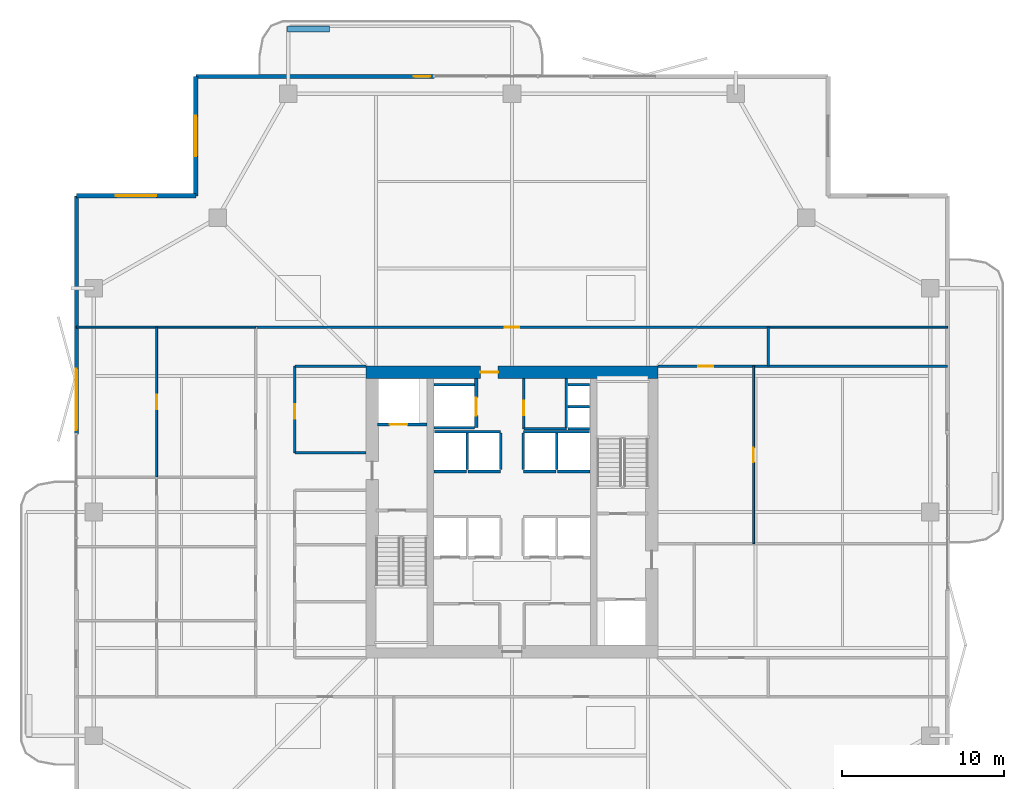
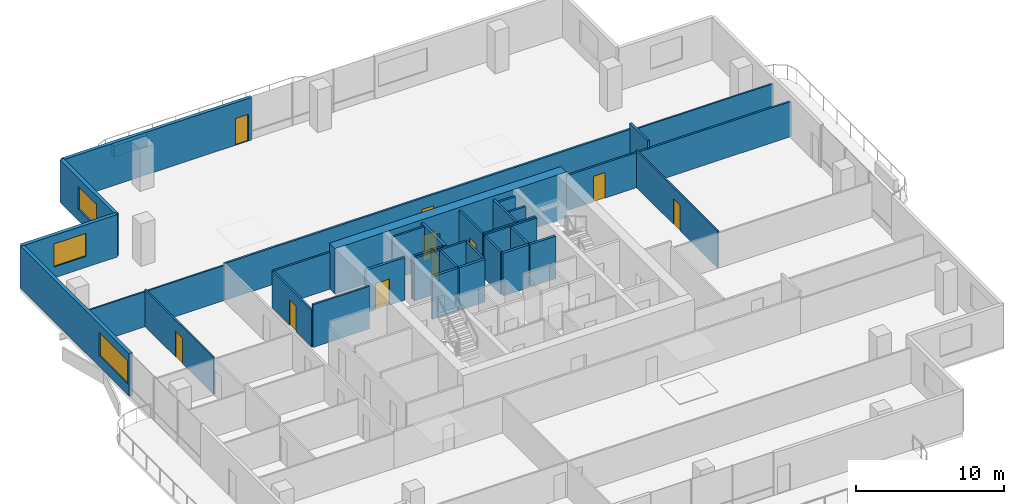
# One storey, part 19 of 24: 36 walls, 10 doors, 3 windows, 13 openings.
"""IFC4 building model written with IfcOpenShell, lengths in metres."""

from ifc_helpers import new_model, si_unit, direction, frame, frame_2d, origin, place, context, subcontext, project, spatial, rectangle, extrude, material, layer, layer_set, type_object, element, fill, save


model = new_model("IFC4")

# Units and contexts
model_context = context("Model", 3, precision=1e-05, world=origin(), true_north=direction((0.0, 1.0)))
body_context = subcontext(model_context, "Body", "Model", "MODEL_VIEW")
ifc_project = project(units=[si_unit("LENGTHUNIT", "METRE"), si_unit("AREAUNIT", "SQUARE_METRE"), si_unit("VOLUMEUNIT", "CUBIC_METRE"), si_unit("PLANEANGLEUNIT", "RADIAN"), si_unit("MASSUNIT", "GRAM", prefix="KILO")], contexts=[model_context])

# Site, building, storey
site_placement = place(None, origin())
site = spatial("IfcSite", under=ifc_project, at=site_placement, CompositionType="ELEMENT")
building_placement = place(site_placement, origin())
building = spatial("IfcBuilding", under=site, at=building_placement, Name="Belovzor Exchange Tower", CompositionType="ELEMENT")
storey_placement = place(building_placement, frame((0.0, 0.0, 214.949951171875)))
storey = spatial("IfcBuildingStorey", under=building, at=storey_placement, Name="L53", CompositionType="ELEMENT", Elevation=214.949951171875)

# Wall, opening, door
ifc_material_1 = material(Name="Acoustic Plasterboard on Galvanised Studs", Category="gypsum")
ifc_layer_1 = layer(ifc_material_1, 0.1201171875)
ifc_layer_set_1 = layer_set([ifc_layer_1], Name="Acoustic Plasterboard on Galvanised Studs")
wall_type_1 = type_object("IfcWallType", Name="Acoustic Double-Stud Partition Wall 120", PredefinedType="PARTITIONING", material=ifc_layer_set_1)
wall_1_placement = place(storey_placement, frame((6.876953125, 30.955078125, 0.0), z_axis=(0.0, 0.0, 1.0), x_axis=(0.0, 1.0, 0.0)))
wall_1 = element("IfcWall", 1, at=wall_1_placement, inside=storey, type_object=wall_type_1, Name="W-P120 Partition Wall W-L53-WHDIV-3", PredefinedType="PARTITIONING", context=body_context, shape_type="SweptSolid", body=[
    extrude(rectangle(XDim=9.244873046875, YDim=0.1201171875, at=frame_2d((4.62255859375, 0.0))), origin(), (0.0, 0.0, 1.0), 3.03515625),
])
opening_1_placement = place(wall_1_placement, frame((4.173095703125, 0.0, 0.0)))
opening_1 = element("IfcOpeningElement", 2, at=opening_1_placement, cuts=wall_1, Name="Opening D-INT-090", PredefinedType="OPENING", context=body_context, shape_type="SweptSolid", body=[
    extrude(rectangle(XDim=0.89990234375, YDim=2.10009765625, at=frame_2d((0.449951171875, 1.050048828125))), frame((0.0, 0.070068359375, 0.0), z_axis=(0.0, -1.0, 0.0), x_axis=(1.0, 0.0, 0.0)), (0.0, 0.0, 1.0), 0.14013671875),
])
ifc_material_2 = material(Name="Veneered Hardwood Acoustic Leaf", Category="wood")
door_type_1 = type_object("IfcDoorType", Name="Trading Suite Acoustic Single Door 900x2100", OperationType="NOTDEFINED", PredefinedType="DOOR", material=ifc_material_2)
door_1_placement = place(opening_1_placement, origin())
door_1 = element("IfcDoor", 3, at=door_1_placement, inside=storey, type_object=door_type_1, Name="D-INT-090 Trading Suite Acoustic Single Door 900x2100", OperationType="SINGLE_SWING_LEFT", OverallHeight=2.10009765625, OverallWidth=0.89990234375, PredefinedType="DOOR", context=body_context, shape_type="SweptSolid", body=[
    extrude(rectangle(XDim=0.89990234375, YDim=2.10009765625, at=frame_2d((0.449951171875, 1.050048828125))), frame((0.0, 0.02490234375, 0.0), z_axis=(0.0, -1.0, 0.0), x_axis=(1.0, 0.0, 0.0)), (0.0, 0.0, 1.0), 0.050048828125),
])
fill(opening_1, door_1)

wall_2_placement = place(storey_placement, frame((43.699951171875, 26.85009765625, 0.0), z_axis=(0.0, 0.0, 1.0), x_axis=(0.0, 1.0, 0.0)))
wall_2 = element("IfcWall", 4, at=wall_2_placement, inside=storey, type_object=wall_type_1, Name="W-P120 Partition Wall W-L53-EDIV-2", PredefinedType="PARTITIONING", context=body_context, shape_type="SweptSolid", body=[
    extrude(rectangle(XDim=10.949951171875, YDim=0.1201171875, at=frame_2d((5.47509765625, 0.0))), origin(), (0.0, 0.0, 1.0), 3.03515625),
])
opening_2_placement = place(wall_2_placement, frame((5.02490234375, 0.0, 0.0)))
opening_2 = element("IfcOpeningElement", 5, at=opening_2_placement, cuts=wall_2, Name="Opening D-INT-090", PredefinedType="OPENING", context=body_context, shape_type="SweptSolid", body=[
    extrude(rectangle(XDim=0.89990234375, YDim=2.10009765625, at=frame_2d((0.449951171875, 1.050048828125))), frame((0.0, 0.070068359375, 0.0), z_axis=(0.0, -1.0, 0.0), x_axis=(1.0, 0.0, 0.0)), (0.0, 0.0, 1.0), 0.14013671875),
])
door_2_placement = place(opening_2_placement, origin())
door_2 = element("IfcDoor", 6, at=door_2_placement, inside=storey, type_object=door_type_1, Name="D-INT-090 Trading Suite Acoustic Single Door 900x2100", OperationType="SINGLE_SWING_RIGHT", OverallHeight=2.10009765625, OverallWidth=0.89990234375, PredefinedType="DOOR", context=body_context, shape_type="SweptSolid", body=[
    extrude(rectangle(XDim=0.89990234375, YDim=2.10009765625, at=frame_2d((0.449951171875, 1.050048828125))), frame((0.0, 0.02490234375, 0.0), z_axis=(0.0, -1.0, 0.0), x_axis=(1.0, 0.0, 0.0)), (0.0, 0.0, 1.0), 0.050048828125),
])
fill(opening_2, door_2)

# Walls
wall_3_placement = place(storey_placement, frame((1.929931640625, 40.199951171875, 0.0), z_axis=(0.0, 0.0, 1.0), x_axis=(1.0, 0.0, 0.0)))
element("IfcWall", 7, at=wall_3_placement, inside=storey, type_object=wall_type_1, Name="W-P120 Partition Wall W-L53-END-NW", PredefinedType="PARTITIONING", context=body_context, shape_type="SweptSolid", body=[
    extrude(rectangle(XDim=11.070068359375, YDim=0.1201171875, at=frame_2d((5.53515625, 0.0))), origin(), (0.0, 0.0, 1.0), 2.885009765625),
])
wall_4_placement = place(storey_placement, frame((44.60009765625, 40.199951171875, 0.0), z_axis=(0.0, 0.0, 1.0), x_axis=(1.0, 0.0, 0.0)))
element("IfcWall", 8, at=wall_4_placement, inside=storey, type_object=wall_type_1, Name="W-P120 Partition Wall W-L53-END-NE", PredefinedType="PARTITIONING", context=body_context, shape_type="SweptSolid", body=[
    extrude(rectangle(XDim=11.06982421875, YDim=0.1201171875, at=frame_2d((5.534912109375, 0.0))), origin(), (0.0, 0.0, 1.0), 2.885009765625),
])

# Wall, opening, door
ifc_material_3 = material(Name="Fire-Rated Gypsum Block and Mineral Wool", Category="gypsum")
ifc_layer_2 = layer(ifc_material_3, 0.14990234375)
ifc_layer_set_2 = layer_set([ifc_layer_2], Name="Fire-Rated Gypsum Block and Mineral Wool")
wall_type_2 = type_object("IfcWallType", Name="Fire-Rated Gypsum Block Corridor Wall 150", PredefinedType="PARTITIONING", material=ifc_layer_set_2)
wall_5_placement = place(storey_placement, frame((29.52490234375, 33.925048828125, 0.0), z_axis=(0.0, 0.0, 1.0), x_axis=(0.0, 1.0, 0.0)))
wall_5 = element("IfcWall", 9, at=wall_5_placement, inside=storey, type_object=wall_type_2, Name="W-P150 Partition Wall W-CRV-L53-W", PredefinedType="PARTITIONING", context=body_context, shape_type="SweptSolid", body=[
    extrude(rectangle(XDim=3.125, YDim=0.14990234375, at=frame_2d((1.5625, 0.0))), origin(), (0.0, 0.0, 1.0), 3.5),
])
opening_3_placement = place(wall_5_placement, frame((0.85009765625, 0.0, 0.0)))
opening_3 = element("IfcOpeningElement", 10, at=opening_3_placement, cuts=wall_5, Name="Opening D-FD60-090", PredefinedType="OPENING", context=body_context, shape_type="SweptSolid", body=[
    extrude(rectangle(XDim=0.89990234375, YDim=2.10009765625, at=frame_2d((0.449951171875, 1.050048828125))), frame((0.0, 0.0849609375, 0.0), z_axis=(0.0, -1.0, 0.0), x_axis=(1.0, 0.0, 0.0)), (0.0, 0.0, 1.0), 0.169921875),
])
ifc_material_4 = material(Name="Acoustic Timber Fire Leaf", Category="wood")
door_type_2 = type_object("IfcDoorType", Name="Core Service & Restroom Fire Door 900x2100", OperationType="NOTDEFINED", PredefinedType="DOOR", material=ifc_material_4)
door_3_placement = place(opening_3_placement, origin())
door_3 = element("IfcDoor", 11, at=door_3_placement, inside=storey, type_object=door_type_2, Name="D-FD60-090 Core Service & Restroom Fire Door 900x2100", OperationType="SINGLE_SWING_LEFT", OverallHeight=2.10009765625, OverallWidth=0.89990234375, PredefinedType="DOOR", context=body_context, shape_type="SweptSolid", body=[
    extrude(rectangle(XDim=0.89990234375, YDim=2.10009765625, at=frame_2d((0.449951171875, 1.050048828125))), frame((0.0, 0.02490234375, 0.0), z_axis=(0.0, -1.0, 0.0), x_axis=(1.0, 0.0, 0.0)), (0.0, 0.0, 1.0), 0.050048828125),
])
fill(opening_3, door_3)

# Walls
wall_6_placement = place(storey_placement, frame((29.52490234375, 33.925048828125, 0.0), z_axis=(0.0, 0.0, 1.0), x_axis=(1.0, 0.0, 0.0)))
element("IfcWall", 12, at=wall_6_placement, inside=storey, type_object=wall_type_2, Name="W-P150 Partition Wall W-CRV-L53-S", PredefinedType="PARTITIONING", context=body_context, shape_type="SweptSolid", body=[
    extrude(rectangle(XDim=2.625, YDim=0.14990234375, at=frame_2d((1.3125, 0.0))), origin(), (0.0, 0.0, 1.0), 3.5),
])
wall_7_placement = place(storey_placement, frame((15.39990234375, 32.449951171875, 0.0), z_axis=(0.0, 0.0, 1.0), x_axis=(1.0, 0.0, 0.0)))
element("IfcWall", 13, at=wall_7_placement, inside=storey, type_object=wall_type_2, Name="W-P150 Partition Wall W-L53-CFW-N", PredefinedType="PARTITIONING", context=body_context, shape_type="SweptSolid", body=[
    extrude(rectangle(XDim=4.400146484375, YDim=0.14990234375, at=frame_2d((2.2001953125, 0.0))), origin(), (0.0, 0.0, 1.0), 3.5),
])
wall_8_placement = place(storey_placement, frame((15.39990234375, 37.800048828125, 0.0), z_axis=(0.0, 0.0, 1.0), x_axis=(1.0, 0.0, 0.0)))
element("IfcWall", 14, at=wall_8_placement, inside=storey, type_object=wall_type_2, Name="W-P150 Partition Wall W-L53-INW-N", PredefinedType="PARTITIONING", context=body_context, shape_type="SweptSolid", body=[
    extrude(rectangle(XDim=4.400146484375, YDim=0.14990234375, at=frame_2d((2.2001953125, 0.0))), origin(), (0.0, 0.0, 1.0), 3.03515625),
])

# Wall, opening, door
wall_9_placement = place(storey_placement, frame((15.39990234375, 32.449951171875, 0.0), z_axis=(0.0, 0.0, 1.0), x_axis=(0.0, 1.0, 0.0)))
wall_9 = element("IfcWall", 15, at=wall_9_placement, inside=storey, type_object=wall_type_2, Name="W-P150 Partition Wall W-L53-WIE-N", PredefinedType="PARTITIONING", context=body_context, shape_type="SweptSolid", body=[
    extrude(rectangle(XDim=5.35009765625, YDim=0.14990234375, at=frame_2d((2.675048828125, 0.0))), origin(), (0.0, 0.0, 1.0), 3.03515625),
])
opening_4_placement = place(wall_9_placement, frame((2.10009765625, 0.0, 0.0)))
opening_4 = element("IfcOpeningElement", 16, at=opening_4_placement, cuts=wall_9, Name="Opening D-FD60-090", PredefinedType="OPENING", context=body_context, shape_type="SweptSolid", body=[
    extrude(rectangle(XDim=0.89990234375, YDim=2.10009765625, at=frame_2d((0.449951171875, 1.050048828125))), frame((0.0, 0.0849609375, 0.0), z_axis=(0.0, -1.0, 0.0), x_axis=(1.0, 0.0, 0.0)), (0.0, 0.0, 1.0), 0.169921875),
])
door_4_placement = place(opening_4_placement, origin())
door_4 = element("IfcDoor", 17, at=door_4_placement, inside=storey, type_object=door_type_2, Name="D-FD60-090 Core Service & Restroom Fire Door 900x2100", OperationType="SINGLE_SWING_LEFT", OverallHeight=2.10009765625, OverallWidth=0.89990234375, PredefinedType="DOOR", context=body_context, shape_type="SweptSolid", body=[
    extrude(rectangle(XDim=0.89990234375, YDim=2.10009765625, at=frame_2d((0.449951171875, 1.050048828125))), frame((0.0, 0.02490234375, 0.0), z_axis=(0.0, -1.0, 0.0), x_axis=(1.0, 0.0, 0.0)), (0.0, 0.0, 1.0), 0.050048828125),
])
fill(opening_4, door_4)

# Wall
wall_10_placement = place(storey_placement, frame((44.60009765625, 37.800048828125, 0.0), z_axis=(0.0, 0.0, 1.0), x_axis=(0.0, 1.0, 0.0)))
element("IfcWall", 18, at=wall_10_placement, inside=storey, type_object=wall_type_2, Name="W-P150 Partition Wall W-L53-END-EN", PredefinedType="PARTITIONING", context=body_context, shape_type="SweptSolid", body=[
    extrude(rectangle(XDim=2.39990234375, YDim=0.14990234375, at=frame_2d((1.199951171875, 0.0))), origin(), (0.0, 0.0, 1.0), 3.5),
])

# Wall, opening, door
wall_11_placement = place(storey_placement, frame((37.800048828125, 37.800048828125, 0.0), z_axis=(0.0, 0.0, 1.0), x_axis=(1.0, 0.0, 0.0)))
wall_11 = element("IfcWall", 19, at=wall_11_placement, inside=storey, type_object=wall_type_2, Name="W-P150 Partition Wall W-L53-CN-IN", PredefinedType="PARTITIONING", context=body_context, shape_type="SweptSolid", body=[
    extrude(rectangle(XDim=17.869873046875, YDim=0.14990234375, at=frame_2d((8.93505859375, 0.0))), origin(), (0.0, 0.0, 1.0), 2.885009765625),
])
opening_5_placement = place(wall_11_placement, frame((2.5, 0.0, 0.0)))
opening_5 = element("IfcOpeningElement", 20, at=opening_5_placement, cuts=wall_11, Name="Opening D-INT-090", PredefinedType="OPENING", context=body_context, shape_type="SweptSolid", body=[
    extrude(rectangle(XDim=0.89990234375, YDim=2.10009765625, at=frame_2d((0.449951171875, 1.050048828125))), frame((0.0, 0.0849609375, 0.0), z_axis=(0.0, -1.0, 0.0), x_axis=(1.0, 0.0, 0.0)), (0.0, 0.0, 1.0), 0.169921875),
])
door_5_placement = place(opening_5_placement, origin())
door_5 = element("IfcDoor", 21, at=door_5_placement, inside=storey, type_object=door_type_1, Name="D-INT-090 Trading Suite Acoustic Single Door 900x2100", OperationType="SINGLE_SWING_RIGHT", OverallHeight=2.10009765625, OverallWidth=0.89990234375, PredefinedType="DOOR", context=body_context, shape_type="SweptSolid", body=[
    extrude(rectangle(XDim=0.89990234375, YDim=2.10009765625, at=frame_2d((0.449951171875, 1.050048828125))), frame((0.0, 0.02490234375, 0.0), z_axis=(0.0, -1.0, 0.0), x_axis=(1.0, 0.0, 0.0)), (0.0, 0.0, 1.0), 0.050048828125),
])
fill(opening_5, door_5)

wall_12_placement = place(storey_placement, frame((13.0, 40.199951171875, 0.0), z_axis=(0.0, 0.0, 1.0), x_axis=(1.0, 0.0, 0.0)))
wall_12 = element("IfcWall", 22, at=wall_12_placement, inside=storey, type_object=wall_type_2, Name="W-P150 Partition Wall W-L53-CN", PredefinedType="PARTITIONING", context=body_context, shape_type="SweptSolid", body=[
    extrude(rectangle(XDim=31.60009765625, YDim=0.14990234375, at=frame_2d((15.800048828125, 0.0))), origin(), (0.0, 0.0, 1.0), 3.03515625),
])
opening_6_placement = place(wall_12_placement, frame((15.35009765625, 0.0, 0.0)))
opening_6 = element("IfcOpeningElement", 23, at=opening_6_placement, cuts=wall_12, Name="Opening D-INT-090", PredefinedType="OPENING", context=body_context, shape_type="SweptSolid", body=[
    extrude(rectangle(XDim=0.89990234375, YDim=2.10009765625, at=frame_2d((0.449951171875, 1.050048828125))), frame((0.0, 0.0849609375, 0.0), z_axis=(0.0, -1.0, 0.0), x_axis=(1.0, 0.0, 0.0)), (0.0, 0.0, 1.0), 0.169921875),
])
door_6_placement = place(opening_6_placement, origin())
door_6 = element("IfcDoor", 24, at=door_6_placement, inside=storey, type_object=door_type_1, Name="D-INT-090 Trading Suite Acoustic Single Door 900x2100", OperationType="SINGLE_SWING_LEFT", OverallHeight=2.10009765625, OverallWidth=0.89990234375, PredefinedType="DOOR", context=body_context, shape_type="SweptSolid", body=[
    extrude(rectangle(XDim=0.89990234375, YDim=2.10009765625, at=frame_2d((0.449951171875, 1.050048828125))), frame((0.0, 0.02490234375, 0.0), z_axis=(0.0, -1.0, 0.0), x_axis=(1.0, 0.0, 0.0)), (0.0, 0.0, 1.0), 0.050048828125),
])
fill(opening_6, door_6)

# Wall, opening, window
ifc_material_5 = material(Name="Precast concrete C40/50", Category="concrete")
ifc_layer_3 = layer(ifc_material_5, 0.280029296875)
ifc_layer_set_3 = layer_set([ifc_layer_3], Name="Precast concrete C40/50")
wall_type_3 = type_object("IfcWallType", Name="Precast Concrete Notched Corner Frame Wall 280", PredefinedType="SOLIDWALL", material=ifc_layer_set_3)
wall_13_placement = place(storey_placement, frame((1.929931640625, 48.300048828125, 0.0), z_axis=(0.0, 0.0, 1.0), x_axis=(1.0, 0.0, 0.0)))
wall_13 = element("IfcWall", 25, at=wall_13_placement, inside=storey, type_object=wall_type_3, Name="W-CRN280 Precast Concrete Notched Corner Frame Wall 280 L53", PredefinedType="SOLIDWALL", context=body_context, shape_type="SweptSolid", body=[
    extrude(rectangle(XDim=7.3701171875, YDim=0.280029296875, at=frame_2d((3.68505859375, 0.0))), origin(), (0.0, 0.0, 1.0), 3.5),
])
opening_7_placement = place(wall_13_placement, frame((2.43505859375, 0.0, 0.89990234375)))
opening_7 = element("IfcOpeningElement", 26, at=opening_7_placement, cuts=wall_13, Name="Opening WN-CRN250", PredefinedType="OPENING", context=body_context, shape_type="SweptSolid", body=[
    extrude(rectangle(XDim=2.5, YDim=1.89990234375, at=frame_2d((1.25, 0.949951171875))), frame((0.0, 0.14990234375, 0.0), z_axis=(0.0, -1.0, 0.0), x_axis=(1.0, 0.0, 0.0)), (0.0, 0.0, 1.0), 0.300048828125),
])
ifc_material_6 = material(Name="Thermally Broken Aluminium and Triple Glazing", Category="aluminium")
window_type_1 = type_object("IfcWindowType", Name="Streamline Moderne Corner Wrap Ribbon Window 2500x1900", PartitioningType="SINGLE_PANEL", PredefinedType="WINDOW", material=ifc_material_6)
window_1_placement = place(opening_7_placement, origin())
window_1 = element("IfcWindow", 27, at=window_1_placement, inside=storey, type_object=window_type_1, Name="WN-CRN250 Streamline Moderne Corner Wrap Ribbon Window 2500x1900", OverallHeight=1.89990234375, OverallWidth=2.5, PartitioningType="SINGLE_PANEL", PredefinedType="WINDOW", context=body_context, shape_type="SweptSolid", body=[
    extrude(rectangle(XDim=2.5, YDim=1.89990234375, at=frame_2d((1.25, 0.949951171875))), frame((0.0, 0.030029296875, 0.0), z_axis=(0.0, -1.0, 0.0), x_axis=(1.0, 0.0, 0.0)), (0.0, 0.0, 1.0), 0.06005859375),
])
fill(opening_7, window_1)

wall_14_placement = place(storey_placement, frame((9.300048828125, 48.300048828125, 0.0), z_axis=(0.0, 0.0, 1.0), x_axis=(0.0, 1.0, 0.0)))
wall_14 = element("IfcWall", 28, at=wall_14_placement, inside=storey, type_object=wall_type_3, Name="W-CRN280 Precast Concrete Notched Corner Frame Wall 280 L53", PredefinedType="SOLIDWALL", context=body_context, shape_type="SweptSolid", body=[
    extrude(rectangle(XDim=7.369873046875, YDim=0.280029296875, at=frame_2d((3.68505859375, 0.0))), origin(), (0.0, 0.0, 1.0), 3.5),
])
opening_8_placement = place(wall_14_placement, frame((2.43505859375, 0.0, 0.89990234375)))
opening_8 = element("IfcOpeningElement", 29, at=opening_8_placement, cuts=wall_14, Name="Opening WN-CRN250", PredefinedType="OPENING", context=body_context, shape_type="SweptSolid", body=[
    extrude(rectangle(XDim=2.5, YDim=1.89990234375, at=frame_2d((1.25, 0.949951171875))), frame((0.0, 0.14990234375, 0.0), z_axis=(0.0, -1.0, 0.0), x_axis=(1.0, 0.0, 0.0)), (0.0, 0.0, 1.0), 0.300048828125),
])
window_2_placement = place(opening_8_placement, origin())
window_2 = element("IfcWindow", 30, at=window_2_placement, inside=storey, type_object=window_type_1, Name="WN-CRN250 Streamline Moderne Corner Wrap Ribbon Window 2500x1900", OverallHeight=1.89990234375, OverallWidth=2.5, PartitioningType="SINGLE_PANEL", PredefinedType="WINDOW", context=body_context, shape_type="SweptSolid", body=[
    extrude(rectangle(XDim=2.5, YDim=1.89990234375, at=frame_2d((1.25, 0.949951171875))), frame((0.0, 0.030029296875, 0.0), z_axis=(0.0, -1.0, 0.0), x_axis=(1.0, 0.0, 0.0)), (0.0, 0.0, 1.0), 0.06005859375),
])
fill(opening_8, window_2)

# Wall, opening, door
ifc_material_7 = material(Name="Precast concrete C40/50", Category="concrete")
ifc_layer_4 = layer(ifc_material_7, 0.260009765625)
ifc_layer_set_4 = layer_set([ifc_layer_4], Name="Precast concrete C40/50")
wall_type_4 = type_object("IfcWallType", Name="Precast Concrete Perimeter Loggia Frame Wall 260", PredefinedType="SOLIDWALL", material=ifc_layer_set_4)
wall_15_placement = place(storey_placement, frame((9.300048828125, 55.669921875, 0.0), z_axis=(0.0, 0.0, 1.0), x_axis=(1.0, 0.0, 0.0)))
wall_15 = element("IfcWall", 31, at=wall_15_placement, inside=storey, type_object=wall_type_4, Name="W-EXT260 Precast Concrete Perimeter Loggia Frame Wall 260 L53", PredefinedType="SOLIDWALL", context=body_context, shape_type="SweptSolid", body=[
    extrude(rectangle(XDim=14.699951171875, YDim=0.260009765625, at=frame_2d((7.35009765625, 0.0))), origin(), (0.0, 0.0, 1.0), 3.5),
])
opening_9_placement = place(wall_15_placement, frame((13.449951171875, 0.0, 0.0)))
opening_9 = element("IfcOpeningElement", 32, at=opening_9_placement, cuts=wall_15, Name="Opening D-BAL100", PredefinedType="OPENING", context=body_context, shape_type="SweptSolid", body=[
    extrude(rectangle(XDim=1.0, YDim=2.199951171875, at=frame_2d((0.5, 1.10009765625))), frame((0.0, 0.139892578125, 0.0), z_axis=(0.0, -1.0, 0.0), x_axis=(1.0, 0.0, 0.0)), (0.0, 0.0, 1.0), 0.280029296875),
])
ifc_material_8 = material(Name="Thermally Broken Anodised Aluminium and Laminated Glass", Category="aluminium")
door_type_3 = type_object("IfcDoorType", Name="Planted Loggia Terrace Glazed Door 1000x2200", OperationType="SINGLE_SWING_LEFT", PredefinedType="DOOR", material=ifc_material_8)
door_7_placement = place(opening_9_placement, origin())
door_7 = element("IfcDoor", 33, at=door_7_placement, inside=storey, type_object=door_type_3, Name="D-BAL100 Balcony Terrace Door L53 N", OperationType="SINGLE_SWING_RIGHT", OverallHeight=2.199951171875, OverallWidth=1.0, PredefinedType="DOOR", context=body_context, shape_type="SweptSolid", body=[
    extrude(rectangle(XDim=1.0, YDim=2.199951171875, at=frame_2d((0.5, 1.10009765625))), frame((0.0, 0.02490234375, 0.0), z_axis=(0.0, -1.0, 0.0), x_axis=(1.0, 0.0, 0.0)), (0.0, 0.0, 1.0), 0.050048828125),
])
fill(opening_9, door_7)

# Wall, opening, window
wall_16_placement = place(storey_placement, frame((1.929931640625, 33.60009765625, 0.0), z_axis=(0.0, 0.0, 1.0), x_axis=(0.0, 1.0, 0.0)))
wall_16 = element("IfcWall", 34, at=wall_16_placement, inside=storey, type_object=wall_type_4, Name="W-EXT260 Precast Concrete Perimeter Loggia Frame Wall 260 L53", PredefinedType="SOLIDWALL", context=body_context, shape_type="SweptSolid", body=[
    extrude(rectangle(XDim=14.699951171875, YDim=0.260009765625, at=frame_2d((7.35009765625, 0.0))), origin(), (0.0, 0.0, 1.0), 3.5),
])
opening_10_placement = place(wall_16_placement, frame((0.25, 0.0, 0.89990234375)))
opening_10 = element("IfcOpeningElement", 35, at=opening_10_placement, cuts=wall_16, Name="Opening WN-RIB380", PredefinedType="OPENING", context=body_context, shape_type="SweptSolid", body=[
    extrude(rectangle(XDim=3.800048828125, YDim=1.89990234375, at=frame_2d((1.89990234375, 0.949951171875))), frame((0.0, 0.139892578125, 0.0), z_axis=(0.0, -1.0, 0.0), x_axis=(1.0, 0.0, 0.0)), (0.0, 0.0, 1.0), 0.280029296875),
])
ifc_material_9 = material(Name="Thermally Broken Aluminium and Triple Glazing", Category="aluminium")
window_type_2 = type_object("IfcWindowType", Name="Streamline Moderne Horizontal Ribbon Window 3800x1900", PartitioningType="SINGLE_PANEL", PredefinedType="WINDOW", material=ifc_material_9)
window_3_placement = place(opening_10_placement, origin())
window_3 = element("IfcWindow", 36, at=window_3_placement, inside=storey, type_object=window_type_2, Name="WN-RIB380 Streamline Moderne Horizontal Ribbon Window 3800x1900", OverallHeight=1.89990234375, OverallWidth=3.800048828125, PartitioningType="SINGLE_PANEL", PredefinedType="WINDOW", context=body_context, shape_type="SweptSolid", body=[
    extrude(rectangle(XDim=3.800048828125, YDim=1.89990234375, at=frame_2d((1.89990234375, 0.949951171875))), frame((0.0, 0.030029296875, 0.0), z_axis=(0.0, -1.0, 0.0), x_axis=(1.0, 0.0, 0.0)), (0.0, 0.0, 1.0), 0.06005859375),
])
fill(opening_10, window_3)

# Walls
ifc_material_10 = material(Name="Precast concrete C40/50", Category="concrete")
ifc_layer_5 = layer(ifc_material_10, 0.35009765625)
ifc_layer_set_5 = layer_set([ifc_layer_5], Name="Precast concrete C40/50")
wall_type_5 = type_object("IfcWallType", Name="Precast Concrete Structural Tree Planter Trough 350", PredefinedType="PARAPET", material=ifc_layer_set_5)
wall_17_placement = place(storey_placement, frame((14.949951171875, 58.60009765625, 0.0), z_axis=(0.0, 0.0, 1.0), x_axis=(1.0, 0.0, 0.0)))
element("IfcWall", 37, at=wall_17_placement, inside=storey, type_object=wall_type_5, Name="PT-350 Precast Concrete Structural Tree Planter Trough 350 L53", PredefinedType="PARAPET", context=body_context, shape_type="SweptSolid", body=[
    extrude(rectangle(XDim=2.60009765625, YDim=0.35009765625, at=frame_2d((1.300048828125, 0.0))), origin(), (0.0, 0.0, 1.0), 0.900146484375),
])
ifc_material_11 = material(Name="Concrete C50/60", Category="concrete")
ifc_layer_6 = layer(ifc_material_11, 0.14990234375)
ifc_layer_set_6 = layer_set([ifc_layer_6], Name="Concrete C50/60")
wall_type_6 = type_object("IfcWallType", Name="Reinforced Concrete Core Riser Shear Wall 150", PredefinedType="SHEAR", material=ifc_layer_set_6)
wall_18_placement = place(storey_placement, frame((32.14990234375, 34.0, 0.0), z_axis=(0.0, 0.0, 1.0), x_axis=(0.0, 1.0, 0.0)))
element("IfcWall", 38, at=wall_18_placement, inside=storey, type_object=wall_type_6, Name="W-C150S Core Shaft Wall W-RSR-L53-E", PredefinedType="SHEAR", context=body_context, shape_type="SweptSolid", body=[
    extrude(rectangle(XDim=3.050048828125, YDim=0.14990234375, at=frame_2d((1.52490234375, 0.0))), origin(), (0.0, 0.0, 1.0), 3.5),
])
for number, where, z_axis, x_axis, name in (
    (39, (32.25, 33.925048828125, 0.0), (0.0, 0.0, 1.0), (1.0, 0.0, 0.0), "W-C150S Core Shaft Wall W-RSR-L53-S"),
    (40, (32.25, 35.300048828125, 0.0), (0.0, 0.0, 1.0), (1.0, 0.0, 0.0), "W-C150S Core Shaft Wall W-RSR-L53-M"),
):
    element("IfcWall", number, at=place(storey_placement, frame(where, z_axis=z_axis, x_axis=x_axis)), inside=storey, type_object=wall_type_6, Name=name, PredefinedType="SHEAR", context=body_context, shape_type="SweptSolid", body=[
        extrude(rectangle(XDim=1.330078125, YDim=0.14990234375, at=frame_2d((0.6650390625, 0.0))), origin(), (0.0, 0.0, 1.0), 3.5),
    ])
for number, where, z_axis, x_axis, name in (
    (41, (24.0, 34.0, 0.0), (0.0, 0.0, 1.0), (1.0, 0.0, 0.0), "W-C150S Core Shaft Wall W-SH-L53-SL-01S"),
    (42, (24.0, 36.64990234375, 0.0), (0.0, 0.0, 1.0), (1.0, 0.0, 0.0), "W-C150S Core Shaft Wall W-SH-L53-SL-01N"),
):
    element("IfcWall", number, at=place(storey_placement, frame(where, z_axis=z_axis, x_axis=x_axis)), inside=storey, type_object=wall_type_6, Name=name, PredefinedType="SHEAR", context=body_context, shape_type="SweptSolid", body=[
        extrude(rectangle(XDim=2.47998046875, YDim=0.14990234375, at=frame_2d((1.239990234375, 0.0))), origin(), (0.0, 0.0, 1.0), 3.5),
    ])
wall_19_placement = place(storey_placement, frame((32.25, 36.64990234375, 0.0), z_axis=(0.0, 0.0, 1.0), x_axis=(1.0, 0.0, 0.0)))
element("IfcWall", 43, at=wall_19_placement, inside=storey, type_object=wall_type_6, Name="W-C150S Core Shaft Wall W-RSR-L53-N", PredefinedType="SHEAR", context=body_context, shape_type="SweptSolid", body=[
    extrude(rectangle(XDim=1.330078125, YDim=0.14990234375, at=frame_2d((0.6650390625, 0.0))), origin(), (0.0, 0.0, 1.0), 3.5),
])
for number, where, z_axis, x_axis, name in (
    (44, (24.02001953125, 33.760009765625, 0.0), (0.0, 0.0, 1.0), (1.0, 0.0, 0.0), "W-C150S Core Shaft Wall W-SHB-L53-PLH-NW"),
    (45, (29.5, 33.760009765625, 0.0), (0.0, 0.0, 1.0), (1.0, 0.0, 0.0), "W-C150S Core Shaft Wall W-SHB-L53-PLH-NE"),
):
    element("IfcWall", number, at=place(storey_placement, frame(where, z_axis=z_axis, x_axis=x_axis)), inside=storey, type_object=wall_type_6, Name=name, PredefinedType="SHEAR", context=body_context, shape_type="SweptSolid", body=[
        extrude(rectangle(XDim=4.080078125, YDim=0.14990234375, at=frame_2d((2.0400390625, 0.0))), origin(), (0.0, 0.0, 1.0), 3.5),
    ])
for number, where, z_axis, x_axis, name in (
    (46, (26.050048828125, 31.419921875, 0.0), (0.0, 0.0, 1.0), (0.0, 1.0, 0.0), "W-C150S Core Shaft Wall W-SHD-L53-PLH-1"),
    (47, (28.10009765625, 31.419921875, 0.0), (0.0, 0.0, 1.0), (0.0, 1.0, 0.0), "W-C150S Core Shaft Wall W-SHD-L53-PLH-2"),
    (48, (29.5, 31.419921875, 0.0), (0.0, 0.0, 1.0), (0.0, 1.0, 0.0), "W-C150S Core Shaft Wall W-SHD-L53-PLH-3"),
    (49, (31.550048828125, 31.419921875, 0.0), (0.0, 0.0, 1.0), (0.0, 1.0, 0.0), "W-C150S Core Shaft Wall W-SHD-L53-PLH-4"),
):
    element("IfcWall", number, at=place(storey_placement, frame(where, z_axis=z_axis, x_axis=x_axis)), inside=storey, type_object=wall_type_6, Name=name, PredefinedType="SHEAR", context=body_context, shape_type="SweptSolid", body=[
        extrude(rectangle(XDim=2.239990234375, YDim=0.14990234375, at=frame_2d((1.1201171875, 0.0))), origin(), (0.0, 0.0, 1.0), 3.5),
    ])

# Wall, opening, door
ifc_material_12 = material(Name="Concrete C50/60", Category="concrete")
ifc_layer_7 = layer(ifc_material_12, 0.199951171875)
ifc_layer_set_7 = layer_set([ifc_layer_7], Name="Concrete C50/60")
wall_type_7 = type_object("IfcWallType", Name="Reinforced Concrete Core Shaft Shear Wall 200", PredefinedType="SHEAR", material=ifc_layer_set_7)
wall_20_placement = place(storey_placement, frame((20.5, 34.199951171875, 0.0), z_axis=(0.0, 0.0, 1.0), x_axis=(1.0, 0.0, 0.0)))
wall_20 = element("IfcWall", 50, at=wall_20_placement, inside=storey, type_object=wall_type_7, Name="W-C200S Core Shaft Wall W-SH-L53-FFL-01", PredefinedType="SHEAR", context=body_context, shape_type="SweptSolid", body=[
    extrude(rectangle(XDim=3.050048828125, YDim=0.199951171875, at=frame_2d((1.52490234375, 0.0))), origin(), (0.0, 0.0, 1.0), 3.5),
])
opening_11_placement = place(wall_20_placement, frame((0.75, 0.0, 0.0)))
opening_11 = element("IfcOpeningElement", 51, at=opening_11_placement, cuts=wall_20, Name="Opening LD-110", PredefinedType="OPENING", context=body_context, shape_type="SweptSolid", body=[
    extrude(rectangle(XDim=1.10009765625, YDim=2.14990234375, at=frame_2d((0.550048828125, 1.074951171875))), frame((0.0, 0.10986328125, 0.0), z_axis=(0.0, -1.0, 0.0), x_axis=(1.0, 0.0, 0.0)), (0.0, 0.0, 1.0), 0.219970703125),
])
ifc_material_13 = material(Name="Stainless Steel Grade 304", Category="steel")
door_type_4 = type_object("IfcDoorType", Name="Automated Stainless Steel Lift Landing Door 1100x2150", OperationType="SLIDING_TO_RIGHT", PredefinedType="DOOR", material=ifc_material_13)
door_8_placement = place(opening_11_placement, origin())
door_8 = element("IfcDoor", 52, at=door_8_placement, inside=storey, type_object=door_type_4, Name="LD-110 Automated Stainless Steel Lift Landing Door 1100x2150", OperationType="SLIDING_TO_RIGHT", OverallHeight=2.14990234375, OverallWidth=1.10009765625, PredefinedType="DOOR", context=body_context, shape_type="SweptSolid", body=[
    extrude(rectangle(XDim=1.10009765625, YDim=2.14990234375, at=frame_2d((0.550048828125, 1.074951171875))), frame((0.0, 0.02490234375, 0.0), z_axis=(0.0, -1.0, 0.0), x_axis=(1.0, 0.0, 0.0)), (0.0, 0.0, 1.0), 0.050048828125),
])
fill(opening_11, door_8)

wall_21_placement = place(storey_placement, frame((26.60009765625, 34.0, 0.0), z_axis=(0.0, 0.0, 1.0), x_axis=(0.0, 1.0, 0.0)))
wall_21 = element("IfcWall", 53, at=wall_21_placement, inside=storey, type_object=wall_type_7, Name="W-C200S Core Shaft Wall W-SH-L53-SL-01", PredefinedType="SHEAR", context=body_context, shape_type="SweptSolid", body=[
    extrude(rectangle(XDim=3.050048828125, YDim=0.199951171875, at=frame_2d((1.52490234375, 0.0))), origin(), (0.0, 0.0, 1.0), 3.5),
])
opening_12_placement = place(wall_21_placement, frame((0.75, 0.0, 0.0)))
opening_12 = element("IfcOpeningElement", 54, at=opening_12_placement, cuts=wall_21, Name="Opening LD-110", PredefinedType="OPENING", context=body_context, shape_type="SweptSolid", body=[
    extrude(rectangle(XDim=1.10009765625, YDim=2.14990234375, at=frame_2d((0.550048828125, 1.074951171875))), frame((0.0, 0.10986328125, 0.0), z_axis=(0.0, -1.0, 0.0), x_axis=(1.0, 0.0, 0.0)), (0.0, 0.0, 1.0), 0.219970703125),
])
door_9_placement = place(opening_12_placement, origin())
door_9 = element("IfcDoor", 55, at=door_9_placement, inside=storey, type_object=door_type_4, Name="LD-110 Automated Stainless Steel Lift Landing Door 1100x2150", OperationType="SLIDING_TO_RIGHT", OverallHeight=2.14990234375, OverallWidth=1.10009765625, PredefinedType="DOOR", context=body_context, shape_type="SweptSolid", body=[
    extrude(rectangle(XDim=1.10009765625, YDim=2.14990234375, at=frame_2d((0.550048828125, 1.074951171875))), frame((0.0, 0.02490234375, 0.0), z_axis=(0.0, -1.0, 0.0), x_axis=(1.0, 0.0, 0.0)), (0.0, 0.0, 1.0), 0.050048828125),
])
fill(opening_12, door_9)

# Walls
for number, where, z_axis, x_axis, name in (
    (56, (24.0, 31.300048828125, 0.0), (0.0, 0.0, 1.0), (1.0, 0.0, 0.0), "W-C200S Core Shaft Wall W-SH-L53-PL-H1"),
    (57, (26.10009765625, 31.300048828125, 0.0), (0.0, 0.0, 1.0), (1.0, 0.0, 0.0), "W-C200S Core Shaft Wall W-SH-L53-PL-H2"),
    (58, (29.5, 31.300048828125, 0.0), (0.0, 0.0, 1.0), (1.0, 0.0, 0.0), "W-C200S Core Shaft Wall W-SH-L53-PL-H3"),
    (59, (31.60009765625, 31.300048828125, 0.0), (0.0, 0.0, 1.0), (1.0, 0.0, 0.0), "W-C200S Core Shaft Wall W-SH-L53-PL-H4"),
):
    element("IfcWall", number, at=place(storey_placement, frame(where, z_axis=z_axis, x_axis=x_axis)), inside=storey, type_object=wall_type_7, Name=name, PredefinedType="SHEAR", context=body_context, shape_type="SweptSolid", body=[
        extrude(rectangle(XDim=2.0, YDim=0.199951171875, at=frame_2d((1.0, 0.0))), origin(), (0.0, 0.0, 1.0), 3.5),
    ])

# Wall, opening, door
ifc_material_14 = material(Name="Concrete C50/60", Category="concrete")
ifc_layer_8 = layer(ifc_material_14, 0.75)
ifc_layer_set_8 = layer_set([ifc_layer_8], Name="Concrete C50/60")
wall_type_8 = type_object("IfcWallType", Name="Reinforced Concrete Core Shear Wall 750", PredefinedType="SHEAR", material=ifc_layer_set_8)
wall_22_placement = place(storey_placement, frame((19.800048828125, 37.425048828125, 0.0), z_axis=(0.0, 0.0, 1.0), x_axis=(1.0, 0.0, 0.0)))
wall_22 = element("IfcWall", 60, at=wall_22_placement, inside=storey, type_object=wall_type_8, Name="CW-S075 Core Shear Wall L53 N", PredefinedType="SHEAR", context=body_context, shape_type="SweptSolid", body=[
    extrude(rectangle(XDim=18.0, YDim=0.75, at=frame_2d((9.0, 0.0))), origin(), (0.0, 0.0, 1.0), 3.75),
])
opening_13_placement = place(wall_22_placement, frame((7.050048828125, 0.0, 0.0)))
opening_13 = element("IfcOpeningElement", 61, at=opening_13_placement, cuts=wall_22, Name="Opening D-FD90-110", PredefinedType="OPENING", context=body_context, shape_type="SweptSolid", body=[
    extrude(rectangle(XDim=1.10009765625, YDim=2.14990234375, at=frame_2d((0.550048828125, 1.074951171875))), frame((0.0, 0.385009765625, 0.0), z_axis=(0.0, -1.0, 0.0), x_axis=(1.0, 0.0, 0.0)), (0.0, 0.0, 1.0), 0.77001953125),
])
ifc_material_15 = material(Name="Fire-Rated Galvanised Steel Leaf", Category="steel")
door_type_5 = type_object("IfcDoorType", Name="Protected Escape Vestibule Fire Door 1100x2150", OperationType="NOTDEFINED", PredefinedType="DOOR", material=ifc_material_15)
door_10_placement = place(opening_13_placement, origin())
door_10 = element("IfcDoor", 62, at=door_10_placement, inside=storey, type_object=door_type_5, Name="D-FD90-110 Protected Escape Vestibule Fire Door 1100x2150", OperationType="SINGLE_SWING_RIGHT", OverallHeight=2.14990234375, OverallWidth=1.10009765625, PredefinedType="DOOR", context=body_context, shape_type="SweptSolid", body=[
    extrude(rectangle(XDim=1.10009765625, YDim=2.14990234375, at=frame_2d((0.550048828125, 1.074951171875))), frame((0.0, 0.02490234375, 0.0), z_axis=(0.0, -1.0, 0.0), x_axis=(1.0, 0.0, 0.0)), (0.0, 0.0, 1.0), 0.050048828125),
])
fill(opening_13, door_10)

save(model, "model.ifc")
